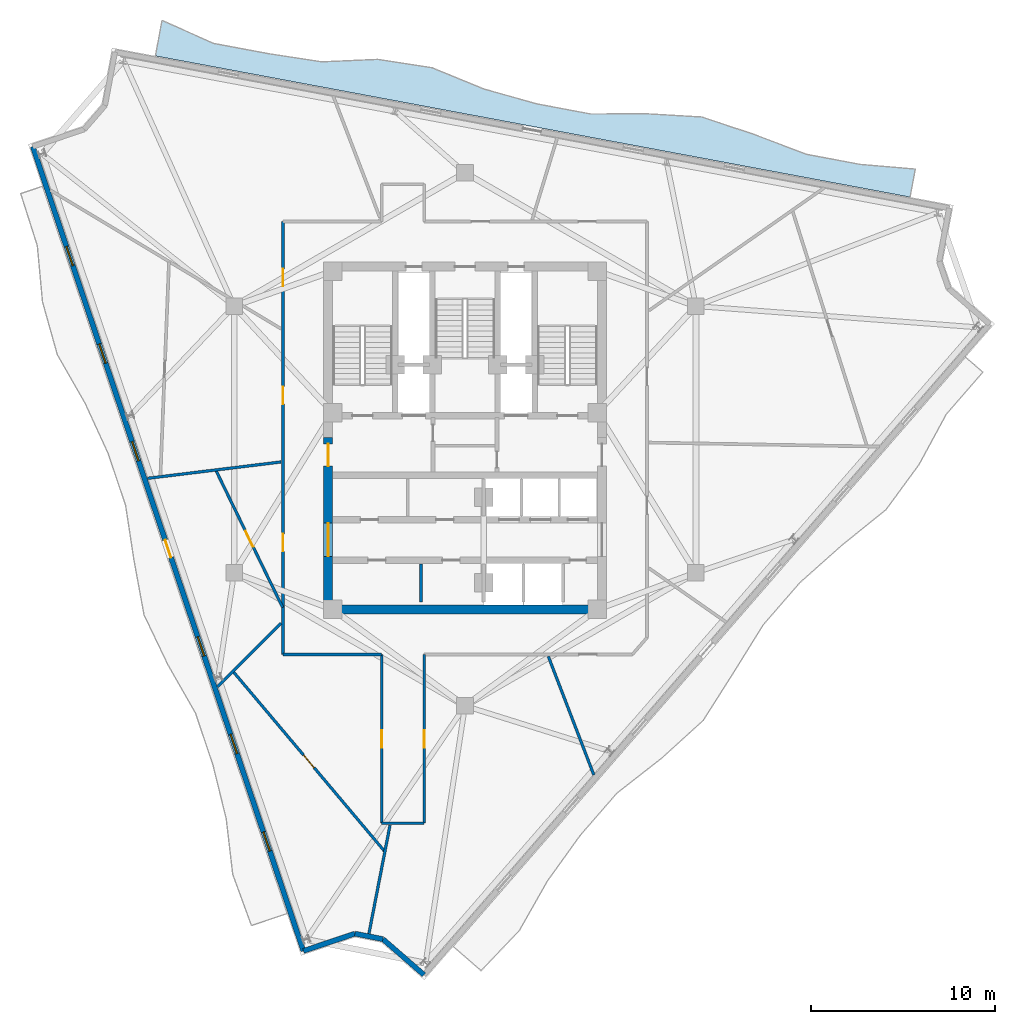
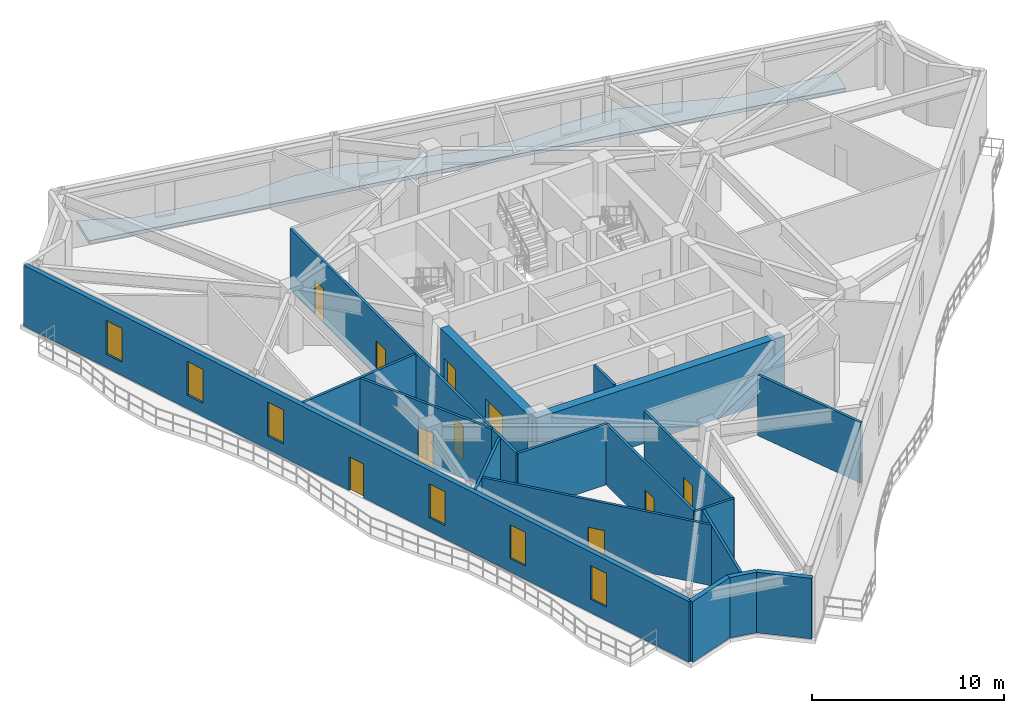
# One storey, part 4 of 10: 18 walls, 10 doors, 6 windows, 1 slab, 16 openings.
"""IFC4 building model written with IfcOpenShell, lengths in metres."""

from ifc_helpers import new_model, si_unit, direction, frame, frame_2d, origin, place, context, subcontext, project, spatial, polyline, rectangle, outline, extrude, material, layer, layer_set, type_object, element, fill, save


model = new_model("IFC4")

# Units and contexts
model_context = context("Model", 3, precision=1e-05, world=origin(), true_north=direction((0.0, 1.0)))
body_context = subcontext(model_context, "Body", "Model", "MODEL_VIEW")
ifc_project = project(units=[si_unit("LENGTHUNIT", "METRE"), si_unit("AREAUNIT", "SQUARE_METRE"), si_unit("VOLUMEUNIT", "CUBIC_METRE"), si_unit("PLANEANGLEUNIT", "RADIAN"), si_unit("MASSUNIT", "GRAM", prefix="KILO")], contexts=[model_context])

# Site, building, storey
site_placement = place(None, origin())
site = spatial("IfcSite", under=ifc_project, at=site_placement, CompositionType="ELEMENT")
building_placement = place(site_placement, origin())
building = spatial("IfcBuilding", under=site, at=building_placement, Name="Apsidion Concourse Tower", CompositionType="ELEMENT")
storey_placement = place(building_placement, frame((0.0, 0.0, 265.5)))
storey = spatial("IfcBuildingStorey", under=building, at=storey_placement, Name="L62", CompositionType="ELEMENT", Elevation=265.5)

# Slab
ifc_material_1 = material(Name="Concrete C50/60", Category="concrete")
ifc_layer_1 = layer(ifc_material_1, 0.219970703125)
ifc_layer_set_1 = layer_set([ifc_layer_1], Name="Concrete C50/60")
slab_type = type_object("IfcSlabType", Name="SL-BAL-220", PredefinedType="FLOOR", material=ifc_layer_set_1)
slab_placement = place(storey_placement, frame((0.0, 0.0, -0.219970703125)))
element("IfcSlab", 1, at=slab_placement, inside=storey, type_object=slab_type, Name="L62 Face 3 Rippling Balcony Slab", PredefinedType="FLOOR", context=body_context, shape_type="SweptSolid", body=[
    extrude(outline(polyline([(24.208251953125, 13.178955078125), (21.276123046875, 13.7275390625), (18.343994140625, 14.27587890625), (15.41162109375, 14.824462890625), (12.4794921875, 15.373046875), (9.54736328125, 15.921630859375), (6.615234375, 16.47021484375), (3.68310546875, 17.018798828125), (0.750732421875, 17.567138671875), (-2.181396484375, 18.11572265625), (-5.113525390625, 18.664306640625), (-8.045654296875, 19.212890625), (-10.977783203125, 19.761474609375), (-13.91015625, 20.309814453125), (-16.84228515625, 20.8583984375), (-16.48095703125, 22.789794921875), (-13.68017578125, 21.538818359375), (-10.748046875, 20.989990234375), (-7.798095703125, 20.535888671875), (-4.738525390625, 20.668701171875), (-1.788818359375, 20.2138671875), (1.029541015625, 19.056884765625), (3.912841796875, 18.247314453125), (6.844970703125, 17.69873046875), (9.8818359375, 17.709228515625), (12.884033203125, 17.535400390625), (15.740234375, 16.580810546875), (18.57373046875, 15.504638671875), (21.505859375, 14.9560546875), (24.4931640625, 14.702392578125), (24.208251953125, 13.178955078125)])), origin(), (0.0, 0.0, 1.0), 0.219970703125),
])

# Walls
ifc_material_2 = material(Name="Precast concrete C40/50", Category="concrete")
ifc_layer_2 = layer(ifc_material_2, 0.280029296875)
ifc_layer_set_2 = layer_set([ifc_layer_2], Name="Precast concrete C40/50")
wall_type_1 = type_object("IfcWallType", Name="WL-EXT-280", PredefinedType="STANDARD", material=ifc_layer_set_2)
wall_1_placement = place(storey_placement, frame((-2.235595703125, -29.126220703125, 0.0), z_axis=(0.0, 0.0, 1.0), x_axis=(-0.754753154029, 0.656008899698, 0.0)))
element("IfcWall", 2, at=wall_1_placement, inside=storey, type_object=wall_type_1, Name="L62 Precast Stone Facade Wall 06", PredefinedType="STANDARD", context=body_context, shape_type="SweptSolid", body=[
    extrude(rectangle(XDim=2.95458984375, YDim=0.280029296875, at=frame_2d((1.477294921875, 0.0))), origin(), (0.0, 0.0, 1.0), 3.85009765625),
])
wall_2_placement = place(storey_placement, frame((-4.465576171875, -27.18798828125, 0.0), z_axis=(0.0, 0.0, 1.0), x_axis=(-0.980935552899, 0.194333324621, 0.0)))
element("IfcWall", 3, at=wall_2_placement, inside=storey, type_object=wall_type_1, Name="L62 Precast Stone Facade Wall 07", PredefinedType="STANDARD", context=body_context, shape_type="SweptSolid", body=[
    extrude(rectangle(XDim=1.553955078125, YDim=0.280029296875, at=frame_2d((0.77685546875, 0.0))), origin(), (0.0, 0.0, 1.0), 3.85009765625),
])
wall_3_placement = place(storey_placement, frame((-5.989990234375, -26.885986328125, 0.0), z_axis=(0.0, 0.0, 1.0), x_axis=(-0.947795421507, -0.318879035013, 0.0)))
element("IfcWall", 4, at=wall_3_placement, inside=storey, type_object=wall_type_1, Name="L62 Precast Stone Facade Wall 08", PredefinedType="STANDARD", context=body_context, shape_type="SweptSolid", body=[
    extrude(rectangle(XDim=2.95458984375, YDim=0.280029296875, at=frame_2d((1.477294921875, 0.0))), origin(), (0.0, 0.0, 1.0), 3.85009765625),
])

# Wall, openings, door, windows
wall_4_placement = place(storey_placement, frame((-8.790283203125, -27.828125, 0.0), z_axis=(0.0, 0.0, 1.0), x_axis=(-0.318898365887, 0.947788917552, 0.0)))
wall_4 = element("IfcWall", 5, at=wall_4_placement, inside=storey, type_object=wall_type_1, Name="L62 Precast Stone Facade Wall 09", PredefinedType="STANDARD", context=body_context, shape_type="SweptSolid", body=[
    extrude(rectangle(XDim=46.16259765625, YDim=0.280029296875, at=frame_2d((23.081298828125, 0.0))), origin(), (0.0, 0.0, 1.0), 3.85009765625),
])
opening_1_placement = place(wall_4_placement, frame((22.581298828125, 0.0, 0.0)))
opening_1 = element("IfcOpeningElement", 6, at=opening_1_placement, cuts=wall_4, Name="Opening D-T1L", PredefinedType="OPENING", context=body_context, shape_type="SweptSolid", body=[
    extrude(rectangle(XDim=1.0, YDim=2.14990234375, at=frame_2d((0.5, 1.074951171875))), frame((0.0, 0.14990234375, 0.0), z_axis=(0.0, -1.0, 0.0), x_axis=(1.0, 0.0, 0.0)), (0.0, 0.0, 1.0), 0.300048828125),
])
opening_2_placement = place(wall_4_placement, frame((5.731201171875, 0.0, 0.85009765625)))
opening_2 = element("IfcOpeningElement", 7, at=opening_2_placement, cuts=wall_4, Name="Opening WN-07", PredefinedType="OPENING", context=body_context, shape_type="SweptSolid", body=[
    extrude(rectangle(XDim=1.10009765625, YDim=2.14990234375, at=frame_2d((0.550048828125, 1.074951171875))), frame((0.0, 0.14990234375, 0.0), z_axis=(0.0, -1.0, 0.0), x_axis=(1.0, 0.0, 0.0)), (0.0, 0.0, 1.0), 0.300048828125),
])
opening_3_placement = place(wall_4_placement, frame((11.331298828125, 0.0, 0.85009765625)))
opening_3 = element("IfcOpeningElement", 8, at=opening_3_placement, cuts=wall_4, Name="Opening WN-07", PredefinedType="OPENING", context=body_context, shape_type="SweptSolid", body=[
    extrude(rectangle(XDim=1.10009765625, YDim=2.14990234375, at=frame_2d((0.550048828125, 1.074951171875))), frame((0.0, 0.14990234375, 0.0), z_axis=(0.0, -1.0, 0.0), x_axis=(1.0, 0.0, 0.0)), (0.0, 0.0, 1.0), 0.300048828125),
])
opening_4_placement = place(wall_4_placement, frame((16.931396484375, 0.0, 0.85009765625)))
opening_4 = element("IfcOpeningElement", 9, at=opening_4_placement, cuts=wall_4, Name="Opening WN-07", PredefinedType="OPENING", context=body_context, shape_type="SweptSolid", body=[
    extrude(rectangle(XDim=1.10009765625, YDim=2.14990234375, at=frame_2d((0.550048828125, 1.074951171875))), frame((0.0, 0.14990234375, 0.0), z_axis=(0.0, -1.0, 0.0), x_axis=(1.0, 0.0, 0.0)), (0.0, 0.0, 1.0), 0.300048828125),
])
opening_5_placement = place(wall_4_placement, frame((28.13134765625, 0.0, 0.85009765625)))
opening_5 = element("IfcOpeningElement", 10, at=opening_5_placement, cuts=wall_4, Name="Opening WN-07", PredefinedType="OPENING", context=body_context, shape_type="SweptSolid", body=[
    extrude(rectangle(XDim=1.10009765625, YDim=2.14990234375, at=frame_2d((0.550048828125, 1.074951171875))), frame((0.0, 0.14990234375, 0.0), z_axis=(0.0, -1.0, 0.0), x_axis=(1.0, 0.0, 0.0)), (0.0, 0.0, 1.0), 0.300048828125),
])
opening_6_placement = place(wall_4_placement, frame((33.731201171875, 0.0, 0.85009765625)))
opening_6 = element("IfcOpeningElement", 11, at=opening_6_placement, cuts=wall_4, Name="Opening WN-07", PredefinedType="OPENING", context=body_context, shape_type="SweptSolid", body=[
    extrude(rectangle(XDim=1.10009765625, YDim=2.14990234375, at=frame_2d((0.550048828125, 1.074951171875))), frame((0.0, 0.14990234375, 0.0), z_axis=(0.0, -1.0, 0.0), x_axis=(1.0, 0.0, 0.0)), (0.0, 0.0, 1.0), 0.300048828125),
])
opening_7_placement = place(wall_4_placement, frame((39.331298828125, 0.0, 0.85009765625)))
opening_7 = element("IfcOpeningElement", 12, at=opening_7_placement, cuts=wall_4, Name="Opening WN-07", PredefinedType="OPENING", context=body_context, shape_type="SweptSolid", body=[
    extrude(rectangle(XDim=1.10009765625, YDim=2.14990234375, at=frame_2d((0.550048828125, 1.074951171875))), frame((0.0, 0.14990234375, 0.0), z_axis=(0.0, -1.0, 0.0), x_axis=(1.0, 0.0, 0.0)), (0.0, 0.0, 1.0), 0.300048828125),
])
ifc_material_3 = material(Name="Anodised aluminium EN AW-6063 T6", Category="aluminium")
door_type_1 = type_object("IfcDoorType", Name="DR-TER-1022L", OperationType="SINGLE_SWING_LEFT", PredefinedType="DOOR", material=ifc_material_3)
door_1_placement = place(opening_1_placement, origin())
door_1 = element("IfcDoor", 13, at=door_1_placement, inside=storey, type_object=door_type_1, Name="L62 Balcony Access Door 1", OperationType="SINGLE_SWING_LEFT", OverallHeight=2.14990234375, OverallWidth=1.0, PredefinedType="DOOR", context=body_context, shape_type="SweptSolid", body=[
    extrude(rectangle(XDim=1.0, YDim=2.14990234375, at=frame_2d((0.5, 1.074951171875))), frame((0.0, 0.02490234375, 0.0), z_axis=(0.0, -1.0, 0.0), x_axis=(1.0, 0.0, 0.0)), (0.0, 0.0, 1.0), 0.050048828125),
])
fill(opening_1, door_1)
ifc_material_4 = material(Name="Insulated laminated low-E glass", Category="glass")
window_type = type_object("IfcWindowType", Name="WN-OFF-1123", PartitioningType="SINGLE_PANEL", PredefinedType="WINDOW", material=ifc_material_4)
window_1_placement = place(opening_2_placement, origin())
window_1 = element("IfcWindow", 14, at=window_1_placement, inside=storey, type_object=window_type, Name="L62 Punched Facade Window 9-01", OverallHeight=2.14990234375, OverallWidth=1.10009765625, PartitioningType="SINGLE_PANEL", PredefinedType="WINDOW", context=body_context, shape_type="SweptSolid", body=[
    extrude(rectangle(XDim=1.10009765625, YDim=2.14990234375, at=frame_2d((0.550048828125, 1.074951171875))), frame((0.0, 0.030029296875, 0.0), z_axis=(0.0, -1.0, 0.0), x_axis=(1.0, 0.0, 0.0)), (0.0, 0.0, 1.0), 0.06005859375),
])
fill(opening_2, window_1)
window_2_placement = place(opening_3_placement, origin())
window_2 = element("IfcWindow", 15, at=window_2_placement, inside=storey, type_object=window_type, Name="L62 Punched Facade Window 9-02", OverallHeight=2.14990234375, OverallWidth=1.10009765625, PartitioningType="SINGLE_PANEL", PredefinedType="WINDOW", context=body_context, shape_type="SweptSolid", body=[
    extrude(rectangle(XDim=1.10009765625, YDim=2.14990234375, at=frame_2d((0.550048828125, 1.074951171875))), frame((0.0, 0.030029296875, 0.0), z_axis=(0.0, -1.0, 0.0), x_axis=(1.0, 0.0, 0.0)), (0.0, 0.0, 1.0), 0.06005859375),
])
fill(opening_3, window_2)
window_3_placement = place(opening_4_placement, origin())
window_3 = element("IfcWindow", 16, at=window_3_placement, inside=storey, type_object=window_type, Name="L62 Punched Facade Window 9-03", OverallHeight=2.14990234375, OverallWidth=1.10009765625, PartitioningType="SINGLE_PANEL", PredefinedType="WINDOW", context=body_context, shape_type="SweptSolid", body=[
    extrude(rectangle(XDim=1.10009765625, YDim=2.14990234375, at=frame_2d((0.550048828125, 1.074951171875))), frame((0.0, 0.030029296875, 0.0), z_axis=(0.0, -1.0, 0.0), x_axis=(1.0, 0.0, 0.0)), (0.0, 0.0, 1.0), 0.06005859375),
])
fill(opening_4, window_3)
window_4_placement = place(opening_5_placement, origin())
window_4 = element("IfcWindow", 17, at=window_4_placement, inside=storey, type_object=window_type, Name="L62 Punched Facade Window 9-05", OverallHeight=2.14990234375, OverallWidth=1.10009765625, PartitioningType="SINGLE_PANEL", PredefinedType="WINDOW", context=body_context, shape_type="SweptSolid", body=[
    extrude(rectangle(XDim=1.10009765625, YDim=2.14990234375, at=frame_2d((0.550048828125, 1.074951171875))), frame((0.0, 0.030029296875, 0.0), z_axis=(0.0, -1.0, 0.0), x_axis=(1.0, 0.0, 0.0)), (0.0, 0.0, 1.0), 0.06005859375),
])
fill(opening_5, window_4)
window_5_placement = place(opening_6_placement, origin())
window_5 = element("IfcWindow", 18, at=window_5_placement, inside=storey, type_object=window_type, Name="L62 Punched Facade Window 9-06", OverallHeight=2.14990234375, OverallWidth=1.10009765625, PartitioningType="SINGLE_PANEL", PredefinedType="WINDOW", context=body_context, shape_type="SweptSolid", body=[
    extrude(rectangle(XDim=1.10009765625, YDim=2.14990234375, at=frame_2d((0.550048828125, 1.074951171875))), frame((0.0, 0.030029296875, 0.0), z_axis=(0.0, -1.0, 0.0), x_axis=(1.0, 0.0, 0.0)), (0.0, 0.0, 1.0), 0.06005859375),
])
fill(opening_6, window_5)
window_6_placement = place(opening_7_placement, origin())
window_6 = element("IfcWindow", 19, at=window_6_placement, inside=storey, type_object=window_type, Name="L62 Punched Facade Window 9-07", OverallHeight=2.14990234375, OverallWidth=1.10009765625, PartitioningType="SINGLE_PANEL", PredefinedType="WINDOW", context=body_context, shape_type="SweptSolid", body=[
    extrude(rectangle(XDim=1.10009765625, YDim=2.14990234375, at=frame_2d((0.550048828125, 1.074951171875))), frame((0.0, 0.030029296875, 0.0), z_axis=(0.0, -1.0, 0.0), x_axis=(1.0, 0.0, 0.0)), (0.0, 0.0, 1.0), 0.06005859375),
])
fill(opening_7, window_6)

# Walls
ifc_material_5 = material(Name="Gypsum plasterboard partition")
ifc_layer_3 = layer(ifc_material_5, 0.14990234375)
ifc_layer_set_3 = layer_set([ifc_layer_3], Name="Gypsum plasterboard partition")
wall_type_2 = type_object("IfcWallType", Name="WL-INT-PAR-150", PredefinedType="PARTITIONING", material=ifc_layer_set_3)
wall_5_placement = place(storey_placement, frame((-2.39990234375, -8.85009765625, 0.0), z_axis=(0.0, 0.0, 1.0), x_axis=(0.0, 1.0, 0.0)))
element("IfcWall", 20, at=wall_5_placement, inside=storey, type_object=wall_type_2, Name="L62 Interior Partition WL-L62-B2RV1", PredefinedType="PARTITIONING", context=body_context, shape_type="SweptSolid", body=[
    extrude(rectangle(XDim=2.080078125, YDim=0.14990234375, at=frame_2d((1.0400390625, 0.0))), origin(), (0.0, 0.0, 1.0), 3.85009765625),
])
wall_6_placement = place(storey_placement, frame((-4.530029296875, -11.699951171875, 0.0), z_axis=(0.0, 0.0, 1.0), x_axis=(-1.0, 0.0, 0.0)))
element("IfcWall", 21, at=wall_6_placement, inside=storey, type_object=wall_type_2, Name="L62 Interior Partition WL-L62-CORR-01", PredefinedType="PARTITIONING", context=body_context, shape_type="SweptSolid", body=[
    extrude(rectangle(XDim=5.369873046875, YDim=0.14990234375, at=frame_2d((2.68505859375, 0.0))), origin(), (0.0, 0.0, 1.0), 3.85009765625),
])

# Wall, openings, doors
wall_7_placement = place(storey_placement, frame((-9.89990234375, -11.699951171875, 0.0), z_axis=(0.0, 0.0, 1.0), x_axis=(0.0, 1.0, 0.0)))
wall_7 = element("IfcWall", 22, at=wall_7_placement, inside=storey, type_object=wall_type_2, Name="L62 Interior Partition WL-L62-CORR-02", PredefinedType="PARTITIONING", context=body_context, shape_type="SweptSolid", body=[
    extrude(rectangle(XDim=23.550048828125, YDim=0.14990234375, at=frame_2d((11.77490234375, 0.0))), origin(), (0.0, 0.0, 1.0), 3.85009765625),
])
opening_8_placement = place(wall_7_placement, frame((5.603271484375, 0.0, 0.0)))
opening_8 = element("IfcOpeningElement", 23, at=opening_8_placement, cuts=wall_7, Name="Opening D-01L", PredefinedType="OPENING", context=body_context, shape_type="SweptSolid", body=[
    extrude(rectangle(XDim=0.949951171875, YDim=2.14990234375, at=frame_2d((0.47509765625, 1.074951171875))), frame((0.0, 0.0849609375, 0.0), z_axis=(0.0, -1.0, 0.0), x_axis=(1.0, 0.0, 0.0)), (0.0, 0.0, 1.0), 0.169921875),
])
opening_9_placement = place(wall_7_placement, frame((20.027587890625, 0.0, 0.0)))
opening_9 = element("IfcOpeningElement", 24, at=opening_9_placement, cuts=wall_7, Name="Opening D-01L", PredefinedType="OPENING", context=body_context, shape_type="SweptSolid", body=[
    extrude(rectangle(XDim=0.949951171875, YDim=2.14990234375, at=frame_2d((0.47509765625, 1.074951171875))), frame((0.0, 0.0849609375, 0.0), z_axis=(0.0, -1.0, 0.0), x_axis=(1.0, 0.0, 0.0)), (0.0, 0.0, 1.0), 0.169921875),
])
opening_10_placement = place(wall_7_placement, frame((13.612548828125, 0.0, 0.0)))
opening_10 = element("IfcOpeningElement", 25, at=opening_10_placement, cuts=wall_7, Name="Opening D-01R", PredefinedType="OPENING", context=body_context, shape_type="SweptSolid", body=[
    extrude(rectangle(XDim=0.949951171875, YDim=2.14990234375, at=frame_2d((0.47509765625, 1.074951171875))), frame((0.0, 0.0849609375, 0.0), z_axis=(0.0, -1.0, 0.0), x_axis=(1.0, 0.0, 0.0)), (0.0, 0.0, 1.0), 0.169921875),
])
ifc_material_6 = material(Name="Brushed stainless steel 316", Category="steel")
door_type_2 = type_object("IfcDoorType", Name="DR-INT-D01L", OperationType="SINGLE_SWING_LEFT", PredefinedType="DOOR", material=ifc_material_6)
door_2_placement = place(opening_8_placement, origin())
door_2 = element("IfcDoor", 26, at=door_2_placement, inside=storey, type_object=door_type_2, Name="L62 Corridor Entry Door 01", OperationType="SINGLE_SWING_LEFT", OverallHeight=2.14990234375, OverallWidth=0.949951171875, PredefinedType="DOOR", context=body_context, shape_type="SweptSolid", body=[
    extrude(rectangle(XDim=0.949951171875, YDim=2.14990234375, at=frame_2d((0.47509765625, 1.074951171875))), frame((0.0, 0.02490234375, 0.0), z_axis=(0.0, -1.0, 0.0), x_axis=(1.0, 0.0, 0.0)), (0.0, 0.0, 1.0), 0.050048828125),
])
fill(opening_8, door_2)
door_3_placement = place(opening_9_placement, origin())
door_3 = element("IfcDoor", 27, at=door_3_placement, inside=storey, type_object=door_type_2, Name="L62 Corridor Entry Door 09", OperationType="SINGLE_SWING_LEFT", OverallHeight=2.14990234375, OverallWidth=0.949951171875, PredefinedType="DOOR", context=body_context, shape_type="SweptSolid", body=[
    extrude(rectangle(XDim=0.949951171875, YDim=2.14990234375, at=frame_2d((0.47509765625, 1.074951171875))), frame((0.0, 0.02490234375, 0.0), z_axis=(0.0, -1.0, 0.0), x_axis=(1.0, 0.0, 0.0)), (0.0, 0.0, 1.0), 0.050048828125),
])
fill(opening_9, door_3)
door_type_3 = type_object("IfcDoorType", Name="DR-INT-D01R", OperationType="SINGLE_SWING_RIGHT", PredefinedType="DOOR", material=ifc_material_6)
door_4_placement = place(opening_10_placement, origin())
door_4 = element("IfcDoor", 28, at=door_4_placement, inside=storey, type_object=door_type_3, Name="L62 Corridor Entry Door 10", OperationType="SINGLE_SWING_RIGHT", OverallHeight=2.14990234375, OverallWidth=0.949951171875, PredefinedType="DOOR", context=body_context, shape_type="SweptSolid", body=[
    extrude(rectangle(XDim=0.949951171875, YDim=2.14990234375, at=frame_2d((0.47509765625, 1.074951171875))), frame((0.0, 0.02490234375, 0.0), z_axis=(0.0, -1.0, 0.0), x_axis=(1.0, 0.0, 0.0)), (0.0, 0.0, 1.0), 0.050048828125),
])
fill(opening_10, door_4)

# Wall, opening, door
wall_8_placement = place(storey_placement, frame((-2.219970703125, -11.699951171875, 0.0), z_axis=(0.0, 0.0, 1.0), x_axis=(0.0, -1.0, 0.0)))
wall_8 = element("IfcWall", 29, at=wall_8_placement, inside=storey, type_object=wall_type_2, Name="L62 Interior Partition WL-L62-CORR-11", PredefinedType="PARTITIONING", context=body_context, shape_type="SweptSolid", body=[
    extrude(rectangle(XDim=9.179931640625, YDim=0.14990234375, at=frame_2d((4.58984375, 0.0))), origin(), (0.0, 0.0, 1.0), 3.85009765625),
])
opening_11_placement = place(wall_8_placement, frame((4.114990234375, 0.0, 0.0)))
opening_11 = element("IfcOpeningElement", 30, at=opening_11_placement, cuts=wall_8, Name="Opening D-01L", PredefinedType="OPENING", context=body_context, shape_type="SweptSolid", body=[
    extrude(rectangle(XDim=0.949951171875, YDim=2.14990234375, at=frame_2d((0.47509765625, 1.074951171875))), frame((0.0, 0.0849609375, 0.0), z_axis=(0.0, -1.0, 0.0), x_axis=(1.0, 0.0, 0.0)), (0.0, 0.0, 1.0), 0.169921875),
])
door_5_placement = place(opening_11_placement, origin())
door_5 = element("IfcDoor", 31, at=door_5_placement, inside=storey, type_object=door_type_2, Name="L62 Corridor Entry Door 03", OperationType="SINGLE_SWING_LEFT", OverallHeight=2.14990234375, OverallWidth=0.949951171875, PredefinedType="DOOR", context=body_context, shape_type="SweptSolid", body=[
    extrude(rectangle(XDim=0.949951171875, YDim=2.14990234375, at=frame_2d((0.47509765625, 1.074951171875))), frame((0.0, 0.02490234375, 0.0), z_axis=(0.0, -1.0, 0.0), x_axis=(1.0, 0.0, 0.0)), (0.0, 0.0, 1.0), 0.050048828125),
])
fill(opening_11, door_5)

# Wall
wall_9_placement = place(storey_placement, frame((-2.219970703125, -20.8798828125, 0.0), z_axis=(0.0, 0.0, 1.0), x_axis=(-1.0, 0.0, 0.0)))
element("IfcWall", 32, at=wall_9_placement, inside=storey, type_object=wall_type_2, Name="L62 Interior Partition WL-L62-CORR-12", PredefinedType="PARTITIONING", context=body_context, shape_type="SweptSolid", body=[
    extrude(rectangle(XDim=2.31005859375, YDim=0.14990234375, at=frame_2d((1.155029296875, 0.0))), origin(), (0.0, 0.0, 1.0), 3.85009765625),
])

# Wall, opening, door
wall_10_placement = place(storey_placement, frame((-4.530029296875, -20.8798828125, 0.0), z_axis=(0.0, 0.0, 1.0), x_axis=(0.0, 1.0, 0.0)))
wall_10 = element("IfcWall", 33, at=wall_10_placement, inside=storey, type_object=wall_type_2, Name="L62 Interior Partition WL-L62-CORR-13", PredefinedType="PARTITIONING", context=body_context, shape_type="SweptSolid", body=[
    extrude(rectangle(XDim=9.179931640625, YDim=0.14990234375, at=frame_2d((4.58984375, 0.0))), origin(), (0.0, 0.0, 1.0), 3.85009765625),
])
opening_12_placement = place(wall_10_placement, frame((4.114990234375, 0.0, 0.0)))
opening_12 = element("IfcOpeningElement", 34, at=opening_12_placement, cuts=wall_10, Name="Opening D-01R", PredefinedType="OPENING", context=body_context, shape_type="SweptSolid", body=[
    extrude(rectangle(XDim=0.949951171875, YDim=2.14990234375, at=frame_2d((0.47509765625, 1.074951171875))), frame((0.0, 0.0849609375, 0.0), z_axis=(0.0, -1.0, 0.0), x_axis=(1.0, 0.0, 0.0)), (0.0, 0.0, 1.0), 0.169921875),
])
door_6_placement = place(opening_12_placement, origin())
door_6 = element("IfcDoor", 35, at=door_6_placement, inside=storey, type_object=door_type_3, Name="L62 Corridor Entry Door 02", OperationType="SINGLE_SWING_RIGHT", OverallHeight=2.14990234375, OverallWidth=0.949951171875, PredefinedType="DOOR", context=body_context, shape_type="SweptSolid", body=[
    extrude(rectangle(XDim=0.949951171875, YDim=2.14990234375, at=frame_2d((0.47509765625, 1.074951171875))), frame((0.0, 0.02490234375, 0.0), z_axis=(0.0, -1.0, 0.0), x_axis=(1.0, 0.0, 0.0)), (0.0, 0.0, 1.0), 0.050048828125),
])
fill(opening_12, door_6)

# Walls
wall_11_placement = place(storey_placement, frame((-10.0048828125, -1.228515625, 0.0), z_axis=(0.0, 0.0, 1.0), x_axis=(-0.992546213565, -0.121868839075, 0.0)))
element("IfcWall", 36, at=wall_11_placement, inside=storey, type_object=wall_type_2, Name="L62 Interior Partition WL-L62-RAD-05-1", PredefinedType="PARTITIONING", context=body_context, shape_type="SweptSolid", body=[
    extrude(rectangle(XDim=7.326171875, YDim=0.14990234375, at=frame_2d((3.6630859375, 0.0))), origin(), (0.0, 0.0, 1.0), 3.85009765625),
])
wall_12_placement = place(storey_placement, frame((-10.0048828125, -10.0048828125, 0.0), z_axis=(0.0, 0.0, 1.0), x_axis=(-0.707106781187, -0.707106781187, 0.0)))
element("IfcWall", 37, at=wall_12_placement, inside=storey, type_object=wall_type_2, Name="L62 Interior Partition WL-L62-RAD-06-1", PredefinedType="PARTITIONING", context=body_context, shape_type="SweptSolid", body=[
    extrude(rectangle(XDim=4.8876953125, YDim=0.14990234375, at=frame_2d((2.44384765625, 0.0))), origin(), (0.0, 0.0, 1.0), 3.85009765625),
])
wall_13_placement = place(storey_placement, frame((-4.0791015625, -20.985107421875, 0.0), z_axis=(0.0, 0.0, 1.0), x_axis=(-0.190811980643, -0.981626603166, 0.0)))
element("IfcWall", 38, at=wall_13_placement, inside=storey, type_object=wall_type_2, Name="L62 Interior Partition WL-L62-RAD-07-1", PredefinedType="PARTITIONING", context=body_context, shape_type="SweptSolid", body=[
    extrude(rectangle(XDim=6.004638671875, YDim=0.14990234375, at=frame_2d((3.00244140625, 0.0))), origin(), (0.0, 0.0, 1.0), 3.85009765625),
])
wall_14_placement = place(storey_placement, frame((4.531494140625, -11.804931640625, 0.0), z_axis=(0.0, 0.0, 1.0), x_axis=(0.358380046902, -0.933575782667, 0.0)))
element("IfcWall", 39, at=wall_14_placement, inside=storey, type_object=wall_type_2, Name="L62 Interior Partition WL-L62-RAD-08-1", PredefinedType="PARTITIONING", context=body_context, shape_type="SweptSolid", body=[
    extrude(rectangle(XDim=6.910400390625, YDim=0.14990234375, at=frame_2d((3.455078125, 0.0))), origin(), (0.0, 0.0, 1.0), 3.85009765625),
])

# Wall, opening, door
wall_15_placement = place(storey_placement, frame((-13.548583984375, -1.688720703125, 0.0), z_axis=(0.0, 0.0, 1.0), x_axis=(0.437647826463, -0.899146473046, 0.0)))
wall_15 = element("IfcWall", 40, at=wall_15_placement, inside=storey, type_object=wall_type_2, Name="L62 Interior Partition WL-L62-CHD-OFWC", PredefinedType="PARTITIONING", context=body_context, shape_type="SweptSolid", body=[
    extrude(rectangle(XDim=8.291259765625, YDim=0.14990234375, at=frame_2d((4.1455078125, 0.0))), origin(), (0.0, 0.0, 1.0), 3.85009765625),
])
opening_13_placement = place(wall_15_placement, frame((3.670654296875, 0.0, 0.0)))
opening_13 = element("IfcOpeningElement", 41, at=opening_13_placement, cuts=wall_15, Name="Opening D-04L", PredefinedType="OPENING", context=body_context, shape_type="SweptSolid", body=[
    extrude(rectangle(XDim=0.949951171875, YDim=2.14990234375, at=frame_2d((0.47509765625, 1.074951171875))), frame((0.0, 0.0849609375, 0.0), z_axis=(0.0, -1.0, 0.0), x_axis=(1.0, 0.0, 0.0)), (0.0, 0.0, 1.0), 0.169921875),
])
door_type_4 = type_object("IfcDoorType", Name="DR-INT-D04L", OperationType="SINGLE_SWING_LEFT", PredefinedType="DOOR", material=ifc_material_6)
door_7_placement = place(opening_13_placement, origin())
door_7 = element("IfcDoor", 42, at=door_7_placement, inside=storey, type_object=door_type_4, Name="L62 Suite Connecting Door OFWC", OperationType="SINGLE_SWING_LEFT", OverallHeight=2.14990234375, OverallWidth=0.949951171875, PredefinedType="DOOR", context=body_context, shape_type="SweptSolid", body=[
    extrude(rectangle(XDim=0.949951171875, YDim=2.14990234375, at=frame_2d((0.47509765625, 1.074951171875))), frame((0.0, 0.02490234375, 0.0), z_axis=(0.0, -1.0, 0.0), x_axis=(1.0, 0.0, 0.0)), (0.0, 0.0, 1.0), 0.050048828125),
])
fill(opening_13, door_7)

wall_16_placement = place(storey_placement, frame((-12.603759765625, -12.63916015625, 0.0), z_axis=(0.0, 0.0, 1.0), x_axis=(0.644218194915, -0.764841759674, 0.0)))
wall_16 = element("IfcWall", 43, at=wall_16_placement, inside=storey, type_object=wall_type_2, Name="L62 Interior Partition WL-L62-CHD-OFS01", PredefinedType="PARTITIONING", context=body_context, shape_type="SweptSolid", body=[
    extrude(rectangle(XDim=12.765380859375, YDim=0.14990234375, at=frame_2d((6.3828125, 0.0))), origin(), (0.0, 0.0, 1.0), 3.85009765625),
])
opening_14_placement = place(wall_16_placement, frame((5.9326171875, 0.0, 0.0)))
opening_14 = element("IfcOpeningElement", 44, at=opening_14_placement, cuts=wall_16, Name="Opening D-02R", PredefinedType="OPENING", context=body_context, shape_type="SweptSolid", body=[
    extrude(rectangle(XDim=0.89990234375, YDim=2.10009765625, at=frame_2d((0.449951171875, 1.050048828125))), frame((0.0, 0.0849609375, 0.0), z_axis=(0.0, -1.0, 0.0), x_axis=(1.0, 0.0, 0.0)), (0.0, 0.0, 1.0), 0.169921875),
])
door_type_5 = type_object("IfcDoorType", Name="DR-INT-D02R", OperationType="SINGLE_SWING_RIGHT", PredefinedType="DOOR", material=ifc_material_3)
door_8_placement = place(opening_14_placement, origin())
door_8 = element("IfcDoor", 45, at=door_8_placement, inside=storey, type_object=door_type_5, Name="L62 Suite Connecting Door OFS01", OperationType="SINGLE_SWING_RIGHT", OverallHeight=2.10009765625, OverallWidth=0.89990234375, PredefinedType="DOOR", context=body_context, shape_type="SweptSolid", body=[
    extrude(rectangle(XDim=0.89990234375, YDim=2.10009765625, at=frame_2d((0.449951171875, 1.050048828125))), frame((0.0, 0.02490234375, 0.0), z_axis=(0.0, -1.0, 0.0), x_axis=(1.0, 0.0, 0.0)), (0.0, 0.0, 1.0), 0.050048828125),
])
fill(opening_14, door_8)

# Wall, openings, doors
ifc_layer_4 = layer(ifc_material_1, 0.5)
ifc_layer_set_4 = layer_set([ifc_layer_4], Name="Concrete C50/60")
wall_type_3 = type_object("IfcWallType", Name="WL-SH-500", PredefinedType="SHEAR", material=ifc_layer_set_4)
wall_17_placement = place(storey_placement, frame((-7.449951171875, -9.0, 0.0), z_axis=(0.0, 0.0, 1.0), x_axis=(0.0, 1.0, 0.0)))
wall_17 = element("IfcWall", 46, at=wall_17_placement, inside=storey, type_object=wall_type_3, Name="L62 Central Core Shear Wall WS", PredefinedType="SHEAR", context=body_context, shape_type="SweptSolid", body=[
    extrude(rectangle(XDim=9.10009765625, YDim=0.5, at=frame_2d((4.550048828125, 0.0))), origin(), (0.0, 0.0, 1.0), 3.85009765625),
])
opening_15_placement = place(wall_17_placement, frame((2.639892578125, 0.0, 0.0)))
opening_15 = element("IfcOpeningElement", 47, at=opening_15_placement, cuts=wall_17, Name="Opening D-06D", PredefinedType="OPENING", context=body_context, shape_type="SweptSolid", body=[
    extrude(rectangle(XDim=1.800048828125, YDim=2.199951171875, at=frame_2d((0.89990234375, 1.10009765625))), frame((0.0, 0.260009765625, 0.0), z_axis=(0.0, -1.0, 0.0), x_axis=(1.0, 0.0, 0.0)), (0.0, 0.0, 1.0), 0.52001953125),
])
opening_16_placement = place(wall_17_placement, frame((7.550048828125, 0.0, 0.0)))
opening_16 = element("IfcOpeningElement", 48, at=opening_16_placement, cuts=wall_17, Name="Opening D-FFL", PredefinedType="OPENING", context=body_context, shape_type="SweptSolid", body=[
    extrude(rectangle(XDim=1.199951171875, YDim=2.14990234375, at=frame_2d((0.60009765625, 1.074951171875))), frame((0.0, 0.260009765625, 0.0), z_axis=(0.0, -1.0, 0.0), x_axis=(1.0, 0.0, 0.0)), (0.0, 0.0, 1.0), 0.52001953125),
])
door_type_6 = type_object("IfcDoorType", Name="DR-INT-D06D", OperationType="DOUBLE_DOOR_SINGLE_SWING", PredefinedType="DOOR", material=ifc_material_6)
door_9_placement = place(opening_15_placement, origin())
door_9 = element("IfcDoor", 49, at=door_9_placement, inside=storey, type_object=door_type_6, Name="L62 Passenger Lift Lobby WS Portal Door", OperationType="DOUBLE_DOOR_SINGLE_SWING", OverallHeight=2.199951171875, OverallWidth=1.800048828125, PredefinedType="DOOR", context=body_context, shape_type="SweptSolid", body=[
    extrude(rectangle(XDim=1.800048828125, YDim=2.199951171875, at=frame_2d((0.89990234375, 1.10009765625))), frame((0.0, 0.02490234375, 0.0), z_axis=(0.0, -1.0, 0.0), x_axis=(1.0, 0.0, 0.0)), (0.0, 0.0, 1.0), 0.050048828125),
])
fill(opening_15, door_9)
door_type_7 = type_object("IfcDoorType", Name="DR-INT-FFL", OperationType="SINGLE_SWING_LEFT", PredefinedType="DOOR", material=ifc_material_6)
door_10_placement = place(opening_16_placement, origin())
door_10 = element("IfcDoor", 50, at=door_10_placement, inside=storey, type_object=door_type_7, Name="L62 Firefighting Lift Lobby FF1 Door", OperationType="SINGLE_SWING_LEFT", OverallHeight=2.14990234375, OverallWidth=1.199951171875, PredefinedType="DOOR", context=body_context, shape_type="SweptSolid", body=[
    extrude(rectangle(XDim=1.199951171875, YDim=2.14990234375, at=frame_2d((0.60009765625, 1.074951171875))), frame((0.0, 0.02490234375, 0.0), z_axis=(0.0, -1.0, 0.0), x_axis=(1.0, 0.0, 0.0)), (0.0, 0.0, 1.0), 0.050048828125),
])
fill(opening_16, door_10)

# Wall
wall_18_placement = place(storey_placement, frame((-7.449951171875, -9.25, 0.0), z_axis=(0.0, 0.0, 1.0), x_axis=(1.0, 0.0, 0.0)))
element("IfcWall", 51, at=wall_18_placement, inside=storey, type_object=wall_type_3, Name="L62 Central Core Shear Wall S", PredefinedType="SHEAR", context=body_context, shape_type="SweptSolid", body=[
    extrude(rectangle(XDim=14.89990234375, YDim=0.5, at=frame_2d((7.449951171875, 0.0))), origin(), (0.0, 0.0, 1.0), 3.85009765625),
])

save(model, "model.ifc")
